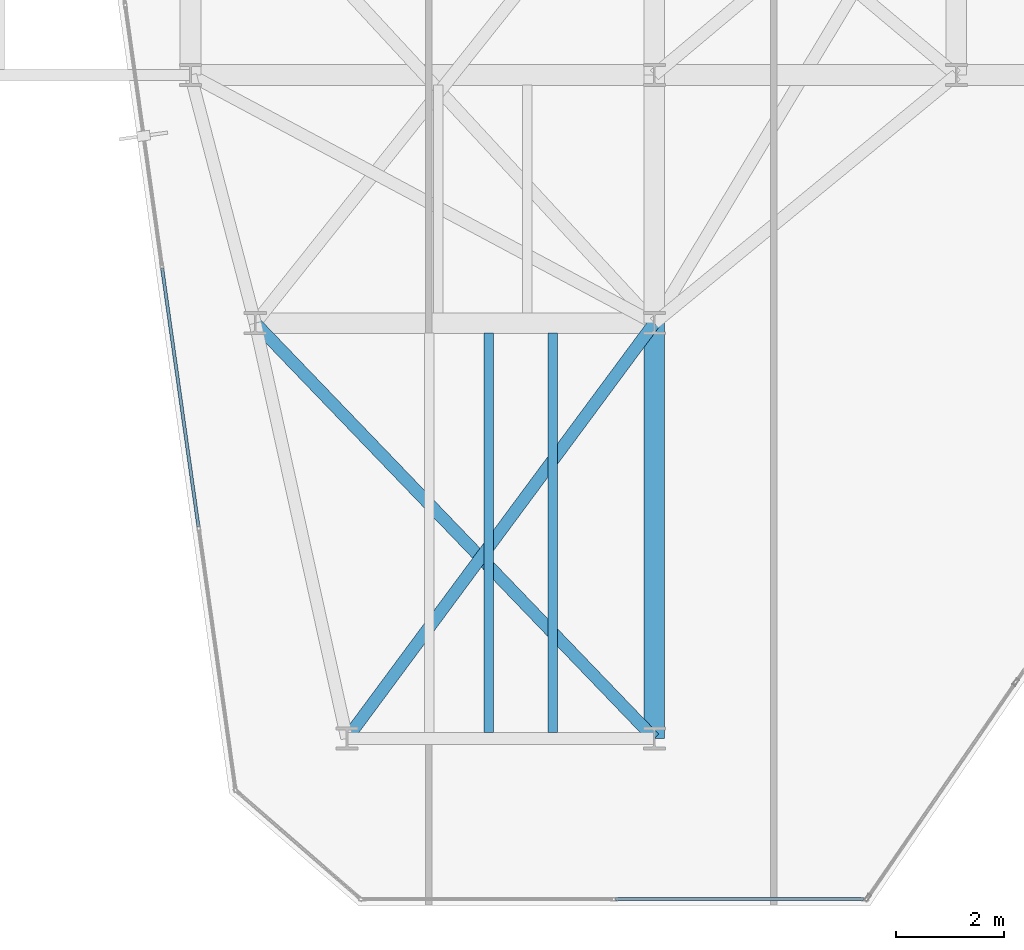
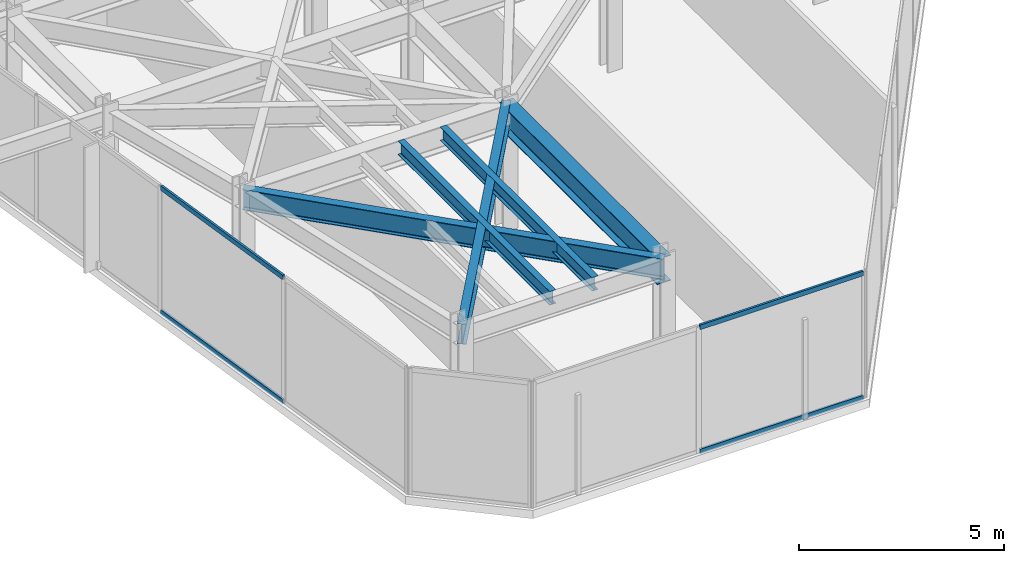
# One storey, part 3 of 26: 5 beams, 4 members, 2 elements without a shape of their own.
"""IFC4 building model written with IfcOpenShell, lengths in metres."""

from ifc_helpers import new_model, si_unit, direction, frame, origin, origin_2d, place, context, subcontext, project, spatial, hollow_rectangle, i_section, extrude, material, layer, layer_set, material_profile, profile_set, type_object, element, aggregate, save


model = new_model("IFC4")

# Units and contexts
model_context = context("Model", 3, precision=1e-05, world=origin(), true_north=direction((0.0, 1.0)))
body_context = subcontext(model_context, "Body", "Model", "MODEL_VIEW")
ifc_project = project(units=[si_unit("LENGTHUNIT", "METRE"), si_unit("AREAUNIT", "SQUARE_METRE"), si_unit("VOLUMEUNIT", "CUBIC_METRE"), si_unit("PLANEANGLEUNIT", "RADIAN"), si_unit("MASSUNIT", "GRAM", prefix="KILO")], contexts=[model_context])

# Site, building, storey
site_placement = place(None, origin())
site = spatial("IfcSite", under=ifc_project, at=site_placement, CompositionType="ELEMENT")
building_placement = place(site_placement, origin())
building = spatial("IfcBuilding", under=site, at=building_placement, Name="Kravanh Interchange Tower", CompositionType="ELEMENT")
storey_placement = place(building_placement, frame((0.0, 0.0, 180.5)))
storey = spatial("IfcBuildingStorey", under=building, at=storey_placement, Name="L43", CompositionType="ELEMENT", Elevation=180.5)

# Curtain wall, members
ifc_material_1 = material(Name="Anodised Bronze Aluminium", Category="aluminium")
ifc_layer = layer(ifc_material_1, 0.179931640625)
ifc_layer_set = layer_set([ifc_layer], Name="Unitised Curtain Wall System CW-Z3 Upper Office")
curtain_wall_type = type_object("IfcCurtainWallType", Name="Unitised Curtain Wall System CW-Z3 Upper Office", PredefinedType="NOTDEFINED", material=ifc_layer_set)
curtain_wall_1_placement = place(storey_placement, origin())
curtain_wall_1 = element("IfcCurtainWall", 1, at=curtain_wall_1_placement, inside=storey, type_object=curtain_wall_type, Name="L43 Unitised Curtain Wall CW-L43-01", PredefinedType="NOTDEFINED")
ifc_material_2 = material(Name="Anodised Bronze Aluminium", Category="aluminium")
ifc_material_profile_1 = material_profile(ifc_material_2, hollow_rectangle(XDim=0.06005859375, YDim=0.139892578125, WallThickness=0.00390625, at=origin_2d()), Name="ALU60X140X4")
ifc_profile_set_1 = profile_set([ifc_material_profile_1], Name="Anodised Bronze Aluminium")
member_type = type_object("IfcMemberType", Name="Curtain Wall Transom ALU60X140X4 Bronze", PredefinedType="USERDEFINED", material=ifc_profile_set_1)
member_1_placement = place(storey_placement, frame((18.748291015625, 18.42236328125, 0.030029296875), z_axis=(-0.139189127663, 0.990265816203, 0.0), x_axis=(-0.990265816203, -0.139189127663, 0.0)))
member_1 = element("IfcMember", 2, at=member_1_placement, type_object=member_type, Name="CW-Z3 transom 2.1", ObjectType="TRANSOM", PredefinedType="USERDEFINED", context=body_context, shape_type="SweptSolid", body=[
    extrude(hollow_rectangle(XDim=0.06005859375, YDim=0.139892578125, WallThickness=0.00390625, at=origin_2d()), origin(), (0.0, 0.0, 1.0), 4.83935546875),
])
member_2_placement = place(storey_placement, frame((18.748291015625, 18.42236328125, 3.72509765625), z_axis=(-0.139189127663, 0.990265816203, 0.0), x_axis=(-0.990265816203, -0.139189127663, 0.0)))
member_2 = element("IfcMember", 3, at=member_2_placement, type_object=member_type, Name="CW-Z3 transom 2.2", ObjectType="TRANSOM", PredefinedType="USERDEFINED", context=body_context, shape_type="SweptSolid", body=[
    extrude(hollow_rectangle(XDim=0.06005859375, YDim=0.139892578125, WallThickness=0.00390625, at=origin_2d()), origin(), (0.0, 0.0, 1.0), 4.83935546875),
])
aggregate(curtain_wall_1, [member_1, member_2])

curtain_wall_2_placement = place(storey_placement, origin())
curtain_wall_2 = element("IfcCurtainWall", 4, at=curtain_wall_2_placement, inside=storey, type_object=curtain_wall_type, Name="L43 Unitised Curtain Wall CW-L43-06", PredefinedType="NOTDEFINED")
member_3_placement = place(storey_placement, frame((31.076904296875, 11.52001953125, 0.030029296875), z_axis=(-1.0, 0.0, 0.0), x_axis=(0.0, -1.0, 0.0)))
member_3 = element("IfcMember", 5, at=member_3_placement, type_object=member_type, Name="CW-Z3 transom 1.1", ObjectType="TRANSOM", PredefinedType="USERDEFINED", context=body_context, shape_type="SweptSolid", body=[
    extrude(hollow_rectangle(XDim=0.06005859375, YDim=0.139892578125, WallThickness=0.00390625, at=origin_2d()), origin(), (0.0, 0.0, 1.0), 4.598876953125),
])
member_4_placement = place(storey_placement, frame((31.076904296875, 11.52001953125, 3.72509765625), z_axis=(-1.0, 0.0, 0.0), x_axis=(0.0, -1.0, 0.0)))
member_4 = element("IfcMember", 6, at=member_4_placement, type_object=member_type, Name="CW-Z3 transom 1.2", ObjectType="TRANSOM", PredefinedType="USERDEFINED", context=body_context, shape_type="SweptSolid", body=[
    extrude(hollow_rectangle(XDim=0.06005859375, YDim=0.139892578125, WallThickness=0.00390625, at=origin_2d()), origin(), (0.0, 0.0, 1.0), 4.598876953125),
])
aggregate(curtain_wall_2, [member_3, member_4])

# Beams
ifc_material_3 = material(Name="Structural Steel S355", Category="steel")
ifc_material_profile_2 = material_profile(ifc_material_3, i_section(OverallWidth=0.381103515625, OverallDepth=0.77294921875, WebThickness=0.0166015625, FlangeThickness=0.027099609375, FilletRadius=0.02490234375, at=origin_2d()), Name="W30X173")
ifc_profile_set_2 = profile_set([ifc_material_profile_2], Name="Structural Steel S355")
beam_type_1 = type_object("IfcBeamType", Name="Floor Beam W30X173 Structural Steel S355", PredefinedType="BEAM", material=ifc_profile_set_2)
beam_1_placement = place(storey_placement, frame((27.199951171875, 14.5, 3.368408203125), z_axis=(0.0, 1.0, 0.0), x_axis=(-1.0, 0.0, 0.0)))
element("IfcBeam", 7, at=beam_1_placement, inside=storey, type_object=beam_type_1, Name="L43 Primary Floor Girder 70", PredefinedType="BEAM", context=body_context, shape_type="SweptSolid", body=[
    extrude(i_section(OverallWidth=0.381103515625, OverallDepth=0.77294921875, WebThickness=0.0166015625, FlangeThickness=0.027099609375, FilletRadius=0.02490234375, at=origin_2d()), origin(), (0.0, 0.0, 1.0), 7.699951171875),
])
ifc_material_4 = material(Name="Structural Steel S355", Category="steel")
ifc_material_profile_3 = material_profile(ifc_material_4, i_section(OverallWidth=0.177978515625, OverallDepth=0.406005859375, WebThickness=0.0078125, FlangeThickness=0.0126953125, FilletRadius=0.01611328125, at=origin_2d()), Name="W16X40")
ifc_profile_set_3 = profile_set([ifc_material_profile_3], Name="Structural Steel S355")
beam_type_2 = type_object("IfcBeamType", Name="Floor Joist W16X40 Structural Steel S355", PredefinedType="JOIST", material=ifc_profile_set_3)
for number, where, z_axis, x_axis, name in (
    (8, (24.1298828125, 14.60888671875, 3.552001953125), (0.0, 1.0, 0.0), (-1.0, 0.0, 0.0), "L43 Secondary Floor Joist 2"),
    (9, (25.318115234375, 14.60888671875, 3.552001953125), (0.0, 1.0, 0.0), (-1.0, 0.0, 0.0), "L43 Secondary Floor Joist 3"),
):
    element("IfcBeam", number, at=place(storey_placement, frame(where, z_axis=z_axis, x_axis=x_axis)), inside=storey, type_object=beam_type_2, Name=name, PredefinedType="JOIST", context=body_context, shape_type="SweptSolid", body=[
        extrude(i_section(OverallWidth=0.177978515625, OverallDepth=0.406005859375, WebThickness=0.0078125, FlangeThickness=0.0126953125, FilletRadius=0.01611328125, at=origin_2d()), origin(), (0.0, 0.0, 1.0), 7.405517578125),
    ])
ifc_material_5 = material(Name="Structural Steel S355", Category="steel")
ifc_material_profile_4 = material_profile(ifc_material_5, i_section(OverallWidth=0.22802734375, OverallDepth=0.60791015625, WebThickness=0.01123046875, FlangeThickness=0.017333984375, FilletRadius=0.02197265625, at=origin_2d()), Name="W24X76")
ifc_profile_set_4 = profile_set([ifc_material_profile_4], Name="Structural Steel S355")
beam_type_3 = type_object("IfcBeamType", Name="Floor Spandrel W24X76 Structural Steel S355", PredefinedType="SPANDREL", material=ifc_profile_set_4)
beam_2_placement = place(storey_placement, frame((21.5, 14.5, 3.450927734375), z_axis=(0.59497703726, 0.803742698339, 0.0), x_axis=(-0.803742698339, 0.59497703726, 0.0)))
element("IfcBeam", 10, at=beam_2_placement, inside=storey, type_object=beam_type_3, Name="L43 Perimeter Spandrel 32", PredefinedType="SPANDREL", context=body_context, shape_type="SweptSolid", body=[
    extrude(i_section(OverallWidth=0.22802734375, OverallDepth=0.60791015625, WebThickness=0.01123046875, FlangeThickness=0.017333984375, FilletRadius=0.02197265625, at=origin_2d()), origin(), (0.0, 0.0, 1.0), 9.580078125),
])
beam_3_placement = place(storey_placement, frame((27.199951171875, 14.5, 3.450927734375), z_axis=(-0.692919091225, 0.721015348669, 0.0), x_axis=(-0.721015348669, -0.692919091225, 0.0)))
element("IfcBeam", 11, at=beam_3_placement, inside=storey, type_object=beam_type_3, Name="L43 Perimeter Spandrel 71", PredefinedType="SPANDREL", context=body_context, shape_type="SweptSolid", body=[
    extrude(i_section(OverallWidth=0.22802734375, OverallDepth=0.60791015625, WebThickness=0.01123046875, FlangeThickness=0.017333984375, FilletRadius=0.02197265625, at=origin_2d()), origin(), (0.0, 0.0, 1.0), 10.67919921875),
])

save(model, "model.ifc")
